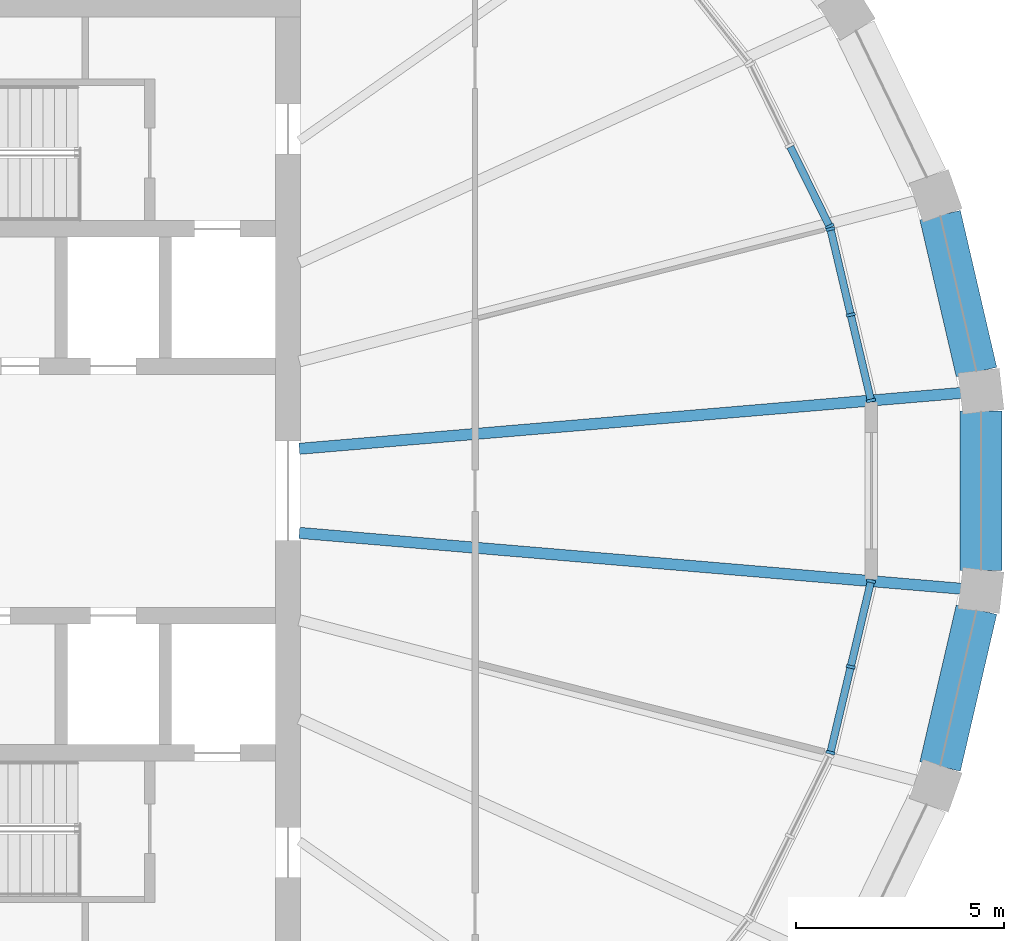
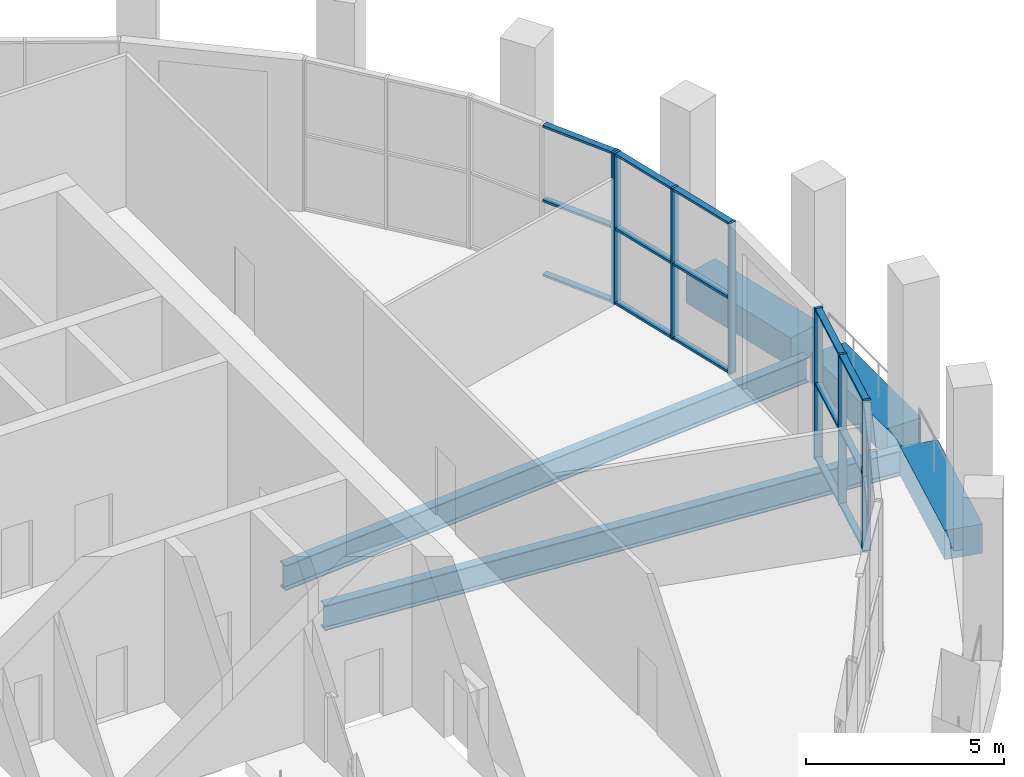
# One storey, part 5 of 16: 22 members, 5 beams, 3 elements without a shape of their own.
"""IFC4 building model written with IfcOpenShell, lengths in metres."""

from ifc_helpers import new_model, si_unit, direction, frame, origin, origin_2d, place, context, subcontext, project, spatial, rectangle, i_section, extrude, material, material_profile, profile_set, type_object, element, aggregate, save


model = new_model("IFC4")

# Units and contexts
model_context = context("Model", 3, precision=1e-05, world=origin(), true_north=direction((0.0, 1.0)))
body_context = subcontext(model_context, "Body", "Model", "MODEL_VIEW")
ifc_project = project(units=[si_unit("LENGTHUNIT", "METRE"), si_unit("AREAUNIT", "SQUARE_METRE"), si_unit("VOLUMEUNIT", "CUBIC_METRE"), si_unit("PLANEANGLEUNIT", "RADIAN"), si_unit("MASSUNIT", "GRAM", prefix="KILO")], contexts=[model_context])

# Site, building, storey
site_placement = place(None, origin())
site = spatial("IfcSite", under=ifc_project, at=site_placement, CompositionType="ELEMENT")
building_placement = place(site_placement, origin())
building = spatial("IfcBuilding", under=site, at=building_placement, Name="Halqa Exchange Tower", CompositionType="ELEMENT")
storey_placement = place(building_placement, frame((0.0, 0.0, 333.300048828125)))
storey = spatial("IfcBuildingStorey", under=building, at=storey_placement, Name="L78", CompositionType="ELEMENT", Elevation=333.300048828125)

# Beams
ifc_material_1 = material(Name="Steel S355", Category="steel")
ifc_material_profile_1 = material_profile(ifc_material_1, i_section(OverallWidth=0.26806640625, OverallDepth=0.77001953125, WebThickness=0.015625, FlangeThickness=0.025390625, FilletRadius=0.01708984375, at=origin_2d()), Name="IPE 750x196")
ifc_profile_set_1 = profile_set([ifc_material_profile_1], Name="Steel S355")
beam_type_1 = type_object("IfcBeamType", Name="Floor beam IPE 750x196", PredefinedType="BEAM", material=ifc_profile_set_1)
for number, where, z_axis, x_axis, name in (
    (1, (11.972900390625, 1.0107421875, -0.735107421875), (0.996455843657, 0.08411748713, 0.0), (-0.08411748713, 0.996455843657, 0.0), "Radial beam 1"),
    (2, (11.972900390625, -1.0107421875, -0.735107421875), (0.996455843657, -0.08411748713, 0.0), (0.08411748713, 0.996455843657, 0.0), "Radial beam 32"),
):
    element("IfcBeam", number, at=place(storey_placement, frame(where, z_axis=z_axis, x_axis=x_axis)), inside=storey, type_object=beam_type_1, Name=name, PredefinedType="BEAM", context=body_context, shape_type="SweptSolid", body=[
        extrude(i_section(OverallWidth=0.26806640625, OverallDepth=0.77001953125, WebThickness=0.015625, FlangeThickness=0.025390625, FilletRadius=0.01708984375, at=origin_2d()), origin(), (0.0, 0.0, 1.0), 16.076171875),
    ])
ifc_material_2 = material(Name="Concrete C60/75", Category="concrete")
ifc_material_profile_2 = material_profile(ifc_material_2, rectangle(XDim=1.0, YDim=0.89990234375, at=origin_2d()), Name="1000 x 900")
ifc_profile_set_2 = profile_set([ifc_material_profile_2], Name="Concrete C60/75")
beam_type_2 = type_object("IfcBeamType", Name="RC spandrel beam 1000 x 900 C60/75", PredefinedType="SPANDREL", material=ifc_profile_set_2)
for number, where, z_axis, x_axis, name in (
    (3, (28.25537109375, 2.857177734375, -0.449951171875), (-0.226093384766, 0.974105631523, 0.0), (-0.974105631523, -0.226093384766, 0.0), "Spandrel 1"),
    (4, (27.3798828125, -6.629150390625, -0.449951171875), (0.226093384766, 0.974105631523, 0.0), (-0.974105631523, 0.226093384766, 0.0), "Spandrel 31"),
):
    element("IfcBeam", number, at=place(storey_placement, frame(where, z_axis=z_axis, x_axis=x_axis)), inside=storey, type_object=beam_type_2, Name=name, PredefinedType="SPANDREL", context=body_context, shape_type="SweptSolid", body=[
        extrude(rectangle(XDim=1.0, YDim=0.89990234375, at=origin_2d()), origin(), (0.0, 0.0, 1.0), 3.872314453125),
    ])
beam_placement = place(storey_placement, frame((28.36279296875, -1.919189453125, -0.449951171875), z_axis=(0.0, 1.0, 0.0), x_axis=(-1.0, 0.0, 0.0)))
element("IfcBeam", 5, at=beam_placement, inside=storey, type_object=beam_type_2, Name="Spandrel 32", PredefinedType="SPANDREL", context=body_context, shape_type="SweptSolid", body=[
    extrude(rectangle(XDim=1.0, YDim=0.89990234375, at=origin_2d()), origin(), (0.0, 0.0, 1.0), 3.83837890625),
])

# Curtain wall, members
ifc_material_3 = material(Name="Anodised aluminium and clear glass", Category="aluminium")
curtain_wall_type = type_object("IfcCurtainWallType", Name="Sky lobby glazing", PredefinedType="NOTDEFINED", material=ifc_material_3)
curtain_wall_1_placement = place(storey_placement, origin())
curtain_wall_1 = element("IfcCurtainWall", 6, at=curtain_wall_1_placement, inside=storey, type_object=curtain_wall_type, Name="Sky lobby glazing run G1", PredefinedType="NOTDEFINED")
ifc_material_4 = material(Name="Anodised aluminium", Category="aluminium")
ifc_material_profile_3 = material_profile(ifc_material_4, rectangle(XDim=0.219970703125, YDim=0.070068359375, at=origin_2d()), Name="AL 70x220")
ifc_profile_set_3 = profile_set([ifc_material_profile_3], Name="Anodised aluminium")
member_type_1 = type_object("IfcMemberType", Name="Sky lobby glazing mullion 70 x 220", PredefinedType="MULLION", material=ifc_profile_set_3)
member_1_placement = place(storey_placement, frame((25.71826171875, 2.171630859375, 0.0), z_axis=(0.0, 0.0, 1.0), x_axis=(-0.97319169906, -0.229995471437, 0.0)))
member_1 = element("IfcMember", 7, at=member_1_placement, type_object=member_type_1, Name="G1 mullion 1", PredefinedType="MULLION", context=body_context, shape_type="SweptSolid", body=[
    extrude(rectangle(XDim=0.219970703125, YDim=0.070068359375, at=origin_2d()), origin(), (0.0, 0.0, 1.0), 4.64990234375),
])
member_2_placement = place(storey_placement, frame((25.23095703125, 4.2333984375, 0.0), z_axis=(0.0, 0.0, 1.0), x_axis=(-0.97319169906, -0.229995471437, 0.0)))
member_2 = element("IfcMember", 8, at=member_2_placement, type_object=member_type_1, Name="G1 mullion 2", PredefinedType="MULLION", context=body_context, shape_type="SweptSolid", body=[
    extrude(rectangle(XDim=0.219970703125, YDim=0.070068359375, at=origin_2d()), origin(), (0.0, 0.0, 1.0), 4.64990234375),
])
member_3_placement = place(storey_placement, frame((24.74365234375, 6.29541015625, 0.0), z_axis=(0.0, 0.0, 1.0), x_axis=(-0.97319169906, -0.229995471437, 0.0)))
member_3 = element("IfcMember", 9, at=member_3_placement, type_object=member_type_1, Name="G1 mullion 3", PredefinedType="MULLION", context=body_context, shape_type="SweptSolid", body=[
    extrude(rectangle(XDim=0.219970703125, YDim=0.070068359375, at=origin_2d()), origin(), (0.0, 0.0, 1.0), 4.64990234375),
])

# Curtain wall, member
curtain_wall_2_placement = place(storey_placement, origin())
curtain_wall_2 = element("IfcCurtainWall", 10, at=curtain_wall_2_placement, inside=storey, type_object=curtain_wall_type, Name="Sky lobby glazing run G2", PredefinedType="NOTDEFINED")
member_4_placement = place(storey_placement, frame((24.719970703125, 6.36083984375, 0.0), z_axis=(0.0, 0.0, 1.0), x_axis=(-0.897214741349, -0.441594506199, 0.0)))
member_4 = element("IfcMember", 11, at=member_4_placement, type_object=member_type_1, Name="G2 mullion 1", PredefinedType="MULLION", context=body_context, shape_type="SweptSolid", body=[
    extrude(rectangle(XDim=0.219970703125, YDim=0.070068359375, at=origin_2d()), origin(), (0.0, 0.0, 1.0), 4.64990234375),
])

# Curtain wall, members
curtain_wall_3_placement = place(storey_placement, origin())
curtain_wall_3 = element("IfcCurtainWall", 12, at=curtain_wall_3_placement, inside=storey, type_object=curtain_wall_type, Name="Sky lobby glazing run G31", PredefinedType="NOTDEFINED")
member_5_placement = place(storey_placement, frame((24.74365234375, -6.29541015625, 0.0), z_axis=(0.0, 0.0, 1.0), x_axis=(-0.97319169906, 0.229995471437, 0.0)))
member_5 = element("IfcMember", 13, at=member_5_placement, type_object=member_type_1, Name="G31 mullion 1", PredefinedType="MULLION", context=body_context, shape_type="SweptSolid", body=[
    extrude(rectangle(XDim=0.219970703125, YDim=0.070068359375, at=origin_2d()), origin(), (0.0, 0.0, 1.0), 4.64990234375),
])
member_6_placement = place(storey_placement, frame((25.23095703125, -4.2333984375, 0.0), z_axis=(0.0, 0.0, 1.0), x_axis=(-0.97319169906, 0.229995471437, 0.0)))
member_6 = element("IfcMember", 14, at=member_6_placement, type_object=member_type_1, Name="G31 mullion 2", PredefinedType="MULLION", context=body_context, shape_type="SweptSolid", body=[
    extrude(rectangle(XDim=0.219970703125, YDim=0.070068359375, at=origin_2d()), origin(), (0.0, 0.0, 1.0), 4.64990234375),
])
member_7_placement = place(storey_placement, frame((25.71826171875, -2.171630859375, 0.0), z_axis=(0.0, 0.0, 1.0), x_axis=(-0.97319169906, 0.229995471437, 0.0)))
member_7 = element("IfcMember", 15, at=member_7_placement, type_object=member_type_1, Name="G31 mullion 3", PredefinedType="MULLION", context=body_context, shape_type="SweptSolid", body=[
    extrude(rectangle(XDim=0.219970703125, YDim=0.070068359375, at=origin_2d()), origin(), (0.0, 0.0, 1.0), 4.64990234375),
])

# Member
ifc_material_profile_4 = material_profile(ifc_material_4, rectangle(XDim=0.179931640625, YDim=0.070068359375, at=origin_2d()), Name="AL 70x180")
ifc_profile_set_4 = profile_set([ifc_material_profile_4], Name="Anodised aluminium")
member_type_2 = type_object("IfcMemberType", Name="Sky lobby glazing transom 70 x 180", PredefinedType="USERDEFINED", material=ifc_profile_set_4)
member_8_placement = place(storey_placement, frame((25.710205078125, 2.20556640625, 0.034912109375), z_axis=(-0.229982362929, 0.973194796914, 0.0), x_axis=(-0.973194796914, -0.229982362929, 0.0)))
member_8 = element("IfcMember", 16, at=member_8_placement, type_object=member_type_2, Name="G1 transom 1.1", ObjectType="TRANSOM", PredefinedType="USERDEFINED", context=body_context, shape_type="SweptSolid", body=[
    extrude(rectangle(XDim=0.179931640625, YDim=0.070068359375, at=origin_2d()), origin(), (0.0, 0.0, 1.0), 2.048828125),
])

member_9_placement = place(storey_placement, frame((25.710205078125, 2.20556640625, 2.324951171875), z_axis=(-0.229982362929, 0.973194796914, 0.0), x_axis=(-0.973194796914, -0.229982362929, 0.0)))
member_9 = element("IfcMember", 17, at=member_9_placement, type_object=member_type_2, Name="G1 transom 1.2", ObjectType="TRANSOM", PredefinedType="USERDEFINED", context=body_context, shape_type="SweptSolid", body=[
    extrude(rectangle(XDim=0.179931640625, YDim=0.070068359375, at=origin_2d()), origin(), (0.0, 0.0, 1.0), 2.048828125),
])

member_10_placement = place(storey_placement, frame((25.710205078125, 2.20556640625, 4.614990234375), z_axis=(-0.229982362929, 0.973194796914, 0.0), x_axis=(-0.973194796914, -0.229982362929, 0.0)))
member_10 = element("IfcMember", 18, at=member_10_placement, type_object=member_type_2, Name="G1 transom 1.3", ObjectType="TRANSOM", PredefinedType="USERDEFINED", context=body_context, shape_type="SweptSolid", body=[
    extrude(rectangle(XDim=0.179931640625, YDim=0.070068359375, at=origin_2d()), origin(), (0.0, 0.0, 1.0), 2.048828125),
])

member_11_placement = place(storey_placement, frame((25.222900390625, 4.267578125, 0.034912109375), z_axis=(-0.229982362929, 0.973194796914, 0.0), x_axis=(-0.973194796914, -0.229982362929, 0.0)))
member_11 = element("IfcMember", 19, at=member_11_placement, type_object=member_type_2, Name="G1 transom 2.1", ObjectType="TRANSOM", PredefinedType="USERDEFINED", context=body_context, shape_type="SweptSolid", body=[
    extrude(rectangle(XDim=0.179931640625, YDim=0.070068359375, at=origin_2d()), origin(), (0.0, 0.0, 1.0), 2.048828125),
])

member_12_placement = place(storey_placement, frame((25.222900390625, 4.267578125, 2.324951171875), z_axis=(-0.229982362929, 0.973194796914, 0.0), x_axis=(-0.973194796914, -0.229982362929, 0.0)))
member_12 = element("IfcMember", 20, at=member_12_placement, type_object=member_type_2, Name="G1 transom 2.2", ObjectType="TRANSOM", PredefinedType="USERDEFINED", context=body_context, shape_type="SweptSolid", body=[
    extrude(rectangle(XDim=0.179931640625, YDim=0.070068359375, at=origin_2d()), origin(), (0.0, 0.0, 1.0), 2.048828125),
])

member_13_placement = place(storey_placement, frame((25.222900390625, 4.267578125, 4.614990234375), z_axis=(-0.229982362929, 0.973194796914, 0.0), x_axis=(-0.973194796914, -0.229982362929, 0.0)))
member_13 = element("IfcMember", 21, at=member_13_placement, type_object=member_type_2, Name="G1 transom 2.3", ObjectType="TRANSOM", PredefinedType="USERDEFINED", context=body_context, shape_type="SweptSolid", body=[
    extrude(rectangle(XDim=0.179931640625, YDim=0.070068359375, at=origin_2d()), origin(), (0.0, 0.0, 1.0), 2.048828125),
])

aggregate(curtain_wall_1, [member_1, member_2, member_3, member_8, member_9, member_10, member_11, member_12, member_13])

member_14_placement = place(storey_placement, frame((24.70458984375, 6.392333984375, 0.034912109375), z_axis=(-0.441656599677, 0.89718417728, 0.0), x_axis=(-0.89718417728, -0.441656599677, 0.0)))
member_14 = element("IfcMember", 22, at=member_14_placement, type_object=member_type_2, Name="G2 transom 1.1", ObjectType="TRANSOM", PredefinedType="USERDEFINED", context=body_context, shape_type="SweptSolid", body=[
    extrude(rectangle(XDim=0.179931640625, YDim=0.070068359375, at=origin_2d()), origin(), (0.0, 0.0, 1.0), 2.094482421875),
])

member_15_placement = place(storey_placement, frame((24.70458984375, 6.392333984375, 2.324951171875), z_axis=(-0.441656599677, 0.89718417728, 0.0), x_axis=(-0.89718417728, -0.441656599677, 0.0)))
member_15 = element("IfcMember", 23, at=member_15_placement, type_object=member_type_2, Name="G2 transom 1.2", ObjectType="TRANSOM", PredefinedType="USERDEFINED", context=body_context, shape_type="SweptSolid", body=[
    extrude(rectangle(XDim=0.179931640625, YDim=0.070068359375, at=origin_2d()), origin(), (0.0, 0.0, 1.0), 2.094482421875),
])

member_16_placement = place(storey_placement, frame((24.70458984375, 6.392333984375, 4.614990234375), z_axis=(-0.441656599677, 0.89718417728, 0.0), x_axis=(-0.89718417728, -0.441656599677, 0.0)))
member_16 = element("IfcMember", 24, at=member_16_placement, type_object=member_type_2, Name="G2 transom 1.3", ObjectType="TRANSOM", PredefinedType="USERDEFINED", context=body_context, shape_type="SweptSolid", body=[
    extrude(rectangle(XDim=0.179931640625, YDim=0.070068359375, at=origin_2d()), origin(), (0.0, 0.0, 1.0), 2.094482421875),
])

aggregate(curtain_wall_2, [member_4, member_14, member_15, member_16])

member_17_placement = place(storey_placement, frame((24.751708984375, -6.261474609375, 0.034912109375), z_axis=(0.229982362929, 0.973194796914, 0.0), x_axis=(-0.973194796914, 0.229982362929, 0.0)))
member_17 = element("IfcMember", 25, at=member_17_placement, type_object=member_type_2, Name="G31 transom 1.1", ObjectType="TRANSOM", PredefinedType="USERDEFINED", context=body_context, shape_type="SweptSolid", body=[
    extrude(rectangle(XDim=0.179931640625, YDim=0.070068359375, at=origin_2d()), origin(), (0.0, 0.0, 1.0), 2.048828125),
])

member_18_placement = place(storey_placement, frame((24.751708984375, -6.261474609375, 2.324951171875), z_axis=(0.229982362929, 0.973194796914, 0.0), x_axis=(-0.973194796914, 0.229982362929, 0.0)))
member_18 = element("IfcMember", 26, at=member_18_placement, type_object=member_type_2, Name="G31 transom 1.2", ObjectType="TRANSOM", PredefinedType="USERDEFINED", context=body_context, shape_type="SweptSolid", body=[
    extrude(rectangle(XDim=0.179931640625, YDim=0.070068359375, at=origin_2d()), origin(), (0.0, 0.0, 1.0), 2.048828125),
])

member_19_placement = place(storey_placement, frame((24.751708984375, -6.261474609375, 4.614990234375), z_axis=(0.229982362929, 0.973194796914, 0.0), x_axis=(-0.973194796914, 0.229982362929, 0.0)))
member_19 = element("IfcMember", 27, at=member_19_placement, type_object=member_type_2, Name="G31 transom 1.3", ObjectType="TRANSOM", PredefinedType="USERDEFINED", context=body_context, shape_type="SweptSolid", body=[
    extrude(rectangle(XDim=0.179931640625, YDim=0.070068359375, at=origin_2d()), origin(), (0.0, 0.0, 1.0), 2.048828125),
])

member_20_placement = place(storey_placement, frame((25.239013671875, -4.199462890625, 0.034912109375), z_axis=(0.229982362929, 0.973194796914, 0.0), x_axis=(-0.973194796914, 0.229982362929, 0.0)))
member_20 = element("IfcMember", 28, at=member_20_placement, type_object=member_type_2, Name="G31 transom 2.1", ObjectType="TRANSOM", PredefinedType="USERDEFINED", context=body_context, shape_type="SweptSolid", body=[
    extrude(rectangle(XDim=0.179931640625, YDim=0.070068359375, at=origin_2d()), origin(), (0.0, 0.0, 1.0), 2.048828125),
])

member_21_placement = place(storey_placement, frame((25.239013671875, -4.199462890625, 2.324951171875), z_axis=(0.229982362929, 0.973194796914, 0.0), x_axis=(-0.973194796914, 0.229982362929, 0.0)))
member_21 = element("IfcMember", 29, at=member_21_placement, type_object=member_type_2, Name="G31 transom 2.2", ObjectType="TRANSOM", PredefinedType="USERDEFINED", context=body_context, shape_type="SweptSolid", body=[
    extrude(rectangle(XDim=0.179931640625, YDim=0.070068359375, at=origin_2d()), origin(), (0.0, 0.0, 1.0), 2.048828125),
])

member_22_placement = place(storey_placement, frame((25.239013671875, -4.199462890625, 4.614990234375), z_axis=(0.229982362929, 0.973194796914, 0.0), x_axis=(-0.973194796914, 0.229982362929, 0.0)))
member_22 = element("IfcMember", 30, at=member_22_placement, type_object=member_type_2, Name="G31 transom 2.3", ObjectType="TRANSOM", PredefinedType="USERDEFINED", context=body_context, shape_type="SweptSolid", body=[
    extrude(rectangle(XDim=0.179931640625, YDim=0.070068359375, at=origin_2d()), origin(), (0.0, 0.0, 1.0), 2.048828125),
])

aggregate(curtain_wall_3, [member_5, member_6, member_7, member_17, member_18, member_19, member_20, member_21, member_22])

save(model, "model.ifc")
